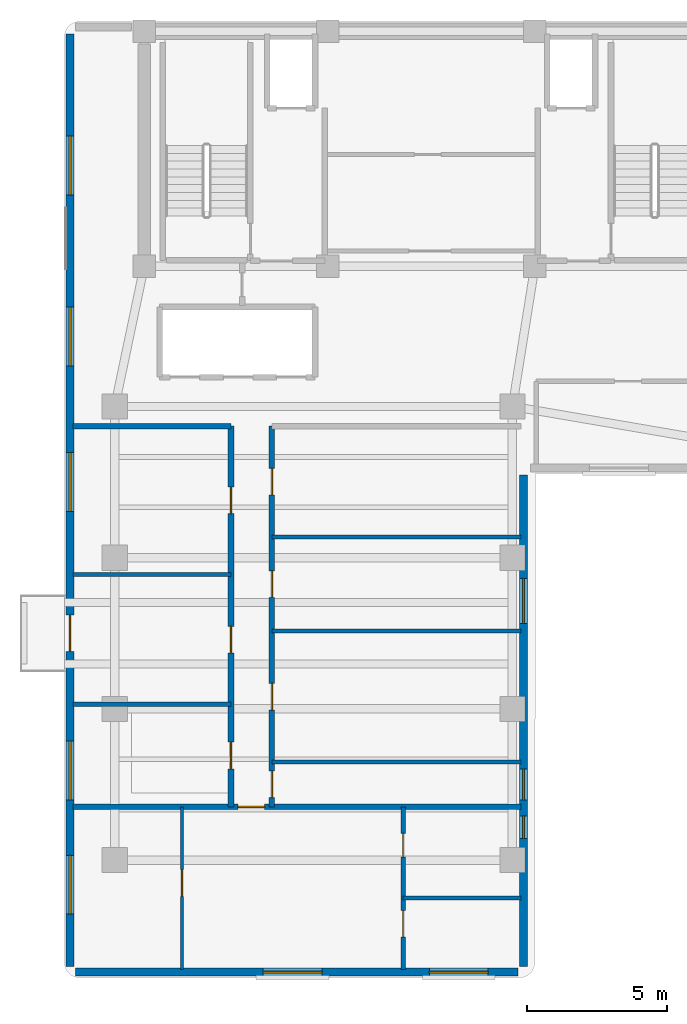
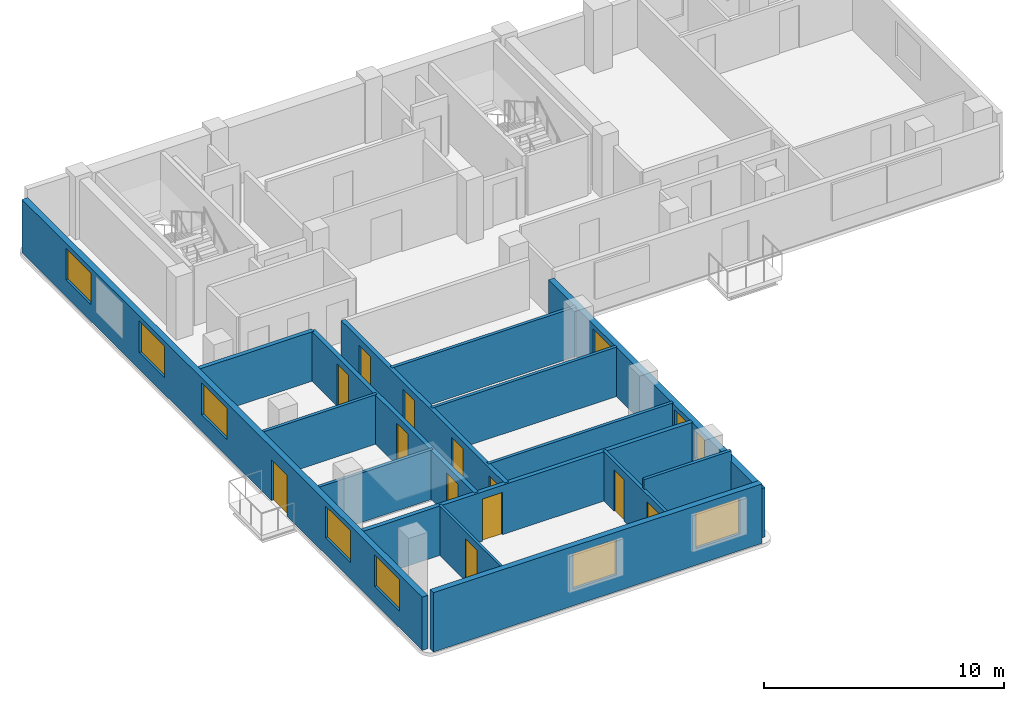
# One storey, part 2 of 6: 15 walls, 12 doors, 10 windows, 22 openings.
"""IFC4 building model written with IfcOpenShell, lengths in metres."""

from ifc_helpers import new_model, si_unit, direction, frame, frame_2d, origin, place, context, subcontext, project, spatial, rectangle, extrude, material, layer, layer_set, type_object, element, fill, save


model = new_model("IFC4")

# Units and contexts
model_context = context("Model", 3, precision=1e-05, world=origin(), true_north=direction((0.0, 1.0)))
body_context = subcontext(model_context, "Body", "Model", "MODEL_VIEW")
ifc_project = project(units=[si_unit("LENGTHUNIT", "METRE"), si_unit("AREAUNIT", "SQUARE_METRE"), si_unit("VOLUMEUNIT", "CUBIC_METRE"), si_unit("PLANEANGLEUNIT", "RADIAN"), si_unit("MASSUNIT", "GRAM", prefix="KILO")], contexts=[model_context])

# Site, building, storey
site_placement = place(None, origin())
site = spatial("IfcSite", under=ifc_project, at=site_placement, CompositionType="ELEMENT")
building_placement = place(site_placement, origin())
building = spatial("IfcBuilding", under=site, at=building_placement, Name="Kuzgunbayir Cultural Tower", CompositionType="ELEMENT")
storey_placement = place(building_placement, frame((0.0, 0.0, 195.199951171875)))
storey = spatial("IfcBuildingStorey", under=building, at=storey_placement, Name="L57", CompositionType="ELEMENT", Elevation=195.199951171875)

# Wall, openings, windows
ifc_material_1 = material(Name="Anatolian Cream Limestone", Category="masonry")
ifc_layer_1 = layer(ifc_material_1, 0.280029296875)
ifc_layer_set_1 = layer_set([ifc_layer_1], Name="Anatolian Cream Limestone")
wall_type_1 = type_object("IfcWallType", Name="WAL-EXT-STONE-280", PredefinedType="STANDARD", material=ifc_layer_set_1)
wall_1_placement = place(storey_placement, frame((4.0, 8.60009765625, 0.0), z_axis=(0.0, 0.0, 1.0), x_axis=(1.0, 0.0, 0.0)))
wall_1 = element("IfcWall", 1, at=wall_1_placement, inside=storey, type_object=wall_type_1, Name="L57 Wing A South Limestone Wall", PredefinedType="STANDARD", context=body_context, shape_type="SweptSolid", body=[
    extrude(rectangle(XDim=15.800048828125, YDim=0.280029296875, at=frame_2d((7.89990234375, 0.0))), origin(), (0.0, 0.0, 1.0), 3.02001953125),
])
opening_1_placement = place(wall_1_placement, frame((6.699951171875, 0.0, 0.85009765625)))
opening_1 = element("IfcOpeningElement", 2, at=opening_1_placement, cuts=wall_1, Name="Opening WR-21", PredefinedType="OPENING", context=body_context, shape_type="SweptSolid", body=[
    extrude(rectangle(XDim=2.10009765625, YDim=1.800048828125, at=frame_2d((1.050048828125, 0.89990234375))), frame((0.0, 0.14990234375, 0.0), z_axis=(0.0, -1.0, 0.0), x_axis=(1.0, 0.0, 0.0)), (0.0, 0.0, 1.0), 0.300048828125),
])
opening_2_placement = place(wall_1_placement, frame((12.6298828125, 0.0, 0.85009765625)))
opening_2 = element("IfcOpeningElement", 3, at=opening_2_placement, cuts=wall_1, Name="Opening WR-21", PredefinedType="OPENING", context=body_context, shape_type="SweptSolid", body=[
    extrude(rectangle(XDim=2.10009765625, YDim=1.800048828125, at=frame_2d((1.050048828125, 0.89990234375))), frame((0.0, 0.14990234375, 0.0), z_axis=(0.0, -1.0, 0.0), x_axis=(1.0, 0.0, 0.0)), (0.0, 0.0, 1.0), 0.300048828125),
])
ifc_material_2 = material(Name="Solar-Control Triple Glazing", Category="glass")
window_type_1 = type_object("IfcWindowType", Name="WIN-RESID-21", PartitioningType="SINGLE_PANEL", PredefinedType="WINDOW", material=ifc_material_2)
window_1_placement = place(opening_1_placement, origin())
window_1 = element("IfcWindow", 4, at=window_1_placement, inside=storey, type_object=window_type_1, Name="L57 WAS Facade Window 2", OverallHeight=1.800048828125, OverallWidth=2.10009765625, PartitioningType="SINGLE_PANEL", PredefinedType="WINDOW", context=body_context, shape_type="SweptSolid", body=[
    extrude(rectangle(XDim=2.10009765625, YDim=1.800048828125, at=frame_2d((1.050048828125, 0.89990234375))), frame((0.0, 0.030029296875, 0.0), z_axis=(0.0, -1.0, 0.0), x_axis=(1.0, 0.0, 0.0)), (0.0, 0.0, 1.0), 0.06005859375),
])
fill(opening_1, window_1)
window_2_placement = place(opening_2_placement, origin())
window_2 = element("IfcWindow", 5, at=window_2_placement, inside=storey, type_object=window_type_1, Name="L57 WAS Facade Window 3", OverallHeight=1.800048828125, OverallWidth=2.10009765625, PartitioningType="SINGLE_PANEL", PredefinedType="WINDOW", context=body_context, shape_type="SweptSolid", body=[
    extrude(rectangle(XDim=2.10009765625, YDim=1.800048828125, at=frame_2d((1.050048828125, 0.89990234375))), frame((0.0, 0.030029296875, 0.0), z_axis=(0.0, -1.0, 0.0), x_axis=(1.0, 0.0, 0.0)), (0.0, 0.0, 1.0), 0.06005859375),
])
fill(opening_2, window_2)

# Wall, openings, door, windows
wall_2_placement = place(storey_placement, frame((3.800048828125, 42.10009765625, 0.0), z_axis=(0.0, 0.0, 1.0), x_axis=(0.0, -1.0, 0.0)))
wall_2 = element("IfcWall", 6, at=wall_2_placement, inside=storey, type_object=wall_type_1, Name="L57 Wing A West Limestone Wall", PredefinedType="STANDARD", context=body_context, shape_type="SweptSolid", body=[
    extrude(rectangle(XDim=33.300048828125, YDim=0.280029296875, at=frame_2d((16.64990234375, 0.0))), origin(), (0.0, 0.0, 1.0), 2.7099609375),
])
opening_3_placement = place(wall_2_placement, frame((20.75, 0.0, 0.0)))
opening_3 = element("IfcOpeningElement", 7, at=opening_3_placement, cuts=wall_2, Name="Opening BD-13", PredefinedType="OPENING", context=body_context, shape_type="SweptSolid", body=[
    extrude(rectangle(XDim=1.300048828125, YDim=2.080078125, at=frame_2d((0.64990234375, 1.0400390625))), frame((0.0, 0.14990234375, 0.0), z_axis=(0.0, -1.0, 0.0), x_axis=(1.0, 0.0, 0.0)), (0.0, 0.0, 1.0), 0.300048828125),
])
opening_4_placement = place(wall_2_placement, frame((29.330078125, 0.0, 0.85009765625)))
opening_4 = element("IfcOpeningElement", 8, at=opening_4_placement, cuts=wall_2, Name="Opening WR-21", PredefinedType="OPENING", context=body_context, shape_type="SweptSolid", body=[
    extrude(rectangle(XDim=2.10009765625, YDim=1.610107421875, at=frame_2d((1.050048828125, 0.80517578125))), frame((0.0, 0.14990234375, 0.0), z_axis=(0.0, -1.0, 0.0), x_axis=(1.0, 0.0, 0.0)), (0.0, 0.0, 1.0), 0.300048828125),
])
opening_5_placement = place(wall_2_placement, frame((25.25, 0.0, 0.85009765625)))
opening_5 = element("IfcOpeningElement", 9, at=opening_5_placement, cuts=wall_2, Name="Opening WR-21", PredefinedType="OPENING", context=body_context, shape_type="SweptSolid", body=[
    extrude(rectangle(XDim=2.10009765625, YDim=1.610107421875, at=frame_2d((1.050048828125, 0.80517578125))), frame((0.0, 0.14990234375, 0.0), z_axis=(0.0, -1.0, 0.0), x_axis=(1.0, 0.0, 0.0)), (0.0, 0.0, 1.0), 0.300048828125),
])
opening_6_placement = place(wall_2_placement, frame((14.949951171875, 0.0, 0.85009765625)))
opening_6 = element("IfcOpeningElement", 10, at=opening_6_placement, cuts=wall_2, Name="Opening WR-21", PredefinedType="OPENING", context=body_context, shape_type="SweptSolid", body=[
    extrude(rectangle(XDim=2.10009765625, YDim=1.610107421875, at=frame_2d((1.050048828125, 0.80517578125))), frame((0.0, 0.14990234375, 0.0), z_axis=(0.0, -1.0, 0.0), x_axis=(1.0, 0.0, 0.0)), (0.0, 0.0, 1.0), 0.300048828125),
])
opening_7_placement = place(wall_2_placement, frame((9.75, 0.0, 0.85009765625)))
opening_7 = element("IfcOpeningElement", 11, at=opening_7_placement, cuts=wall_2, Name="Opening WR-21", PredefinedType="OPENING", context=body_context, shape_type="SweptSolid", body=[
    extrude(rectangle(XDim=2.10009765625, YDim=1.610107421875, at=frame_2d((1.050048828125, 0.80517578125))), frame((0.0, 0.14990234375, 0.0), z_axis=(0.0, -1.0, 0.0), x_axis=(1.0, 0.0, 0.0)), (0.0, 0.0, 1.0), 0.300048828125),
])
opening_8_placement = place(wall_2_placement, frame((3.64990234375, 0.0, 0.85009765625)))
opening_8 = element("IfcOpeningElement", 12, at=opening_8_placement, cuts=wall_2, Name="Opening WR-21", PredefinedType="OPENING", context=body_context, shape_type="SweptSolid", body=[
    extrude(rectangle(XDim=2.10009765625, YDim=1.610107421875, at=frame_2d((1.050048828125, 0.80517578125))), frame((0.0, 0.14990234375, 0.0), z_axis=(0.0, -1.0, 0.0), x_axis=(1.0, 0.0, 0.0)), (0.0, 0.0, 1.0), 0.300048828125),
])
ifc_material_3 = material(Name="Thermally Broken Glazed Aluminium", Category="aluminium")
door_type_1 = type_object("IfcDoorType", Name="DR-BALCONY-135", OperationType="SLIDING_TO_LEFT", PredefinedType="DOOR", material=ifc_material_3)
door_1_placement = place(opening_3_placement, origin())
door_1 = element("IfcDoor", 13, at=door_1_placement, inside=storey, type_object=door_type_1, Name="L57 West Balcony Sliding Door BAL-L57-WA2", OperationType="SLIDING_TO_LEFT", OverallHeight=2.080078125, OverallWidth=1.300048828125, PredefinedType="DOOR", context=body_context, shape_type="SweptSolid", body=[
    extrude(rectangle(XDim=1.300048828125, YDim=2.080078125, at=frame_2d((0.64990234375, 1.0400390625))), frame((0.0, 0.02490234375, 0.0), z_axis=(0.0, -1.0, 0.0), x_axis=(1.0, 0.0, 0.0)), (0.0, 0.0, 1.0), 0.050048828125),
])
fill(opening_3, door_1)
window_3_placement = place(opening_4_placement, origin())
window_3 = element("IfcWindow", 14, at=window_3_placement, inside=storey, type_object=window_type_1, Name="L57 WAW Facade Window 1", OverallHeight=1.610107421875, OverallWidth=2.10009765625, PartitioningType="SINGLE_PANEL", PredefinedType="WINDOW", context=body_context, shape_type="SweptSolid", body=[
    extrude(rectangle(XDim=2.10009765625, YDim=1.610107421875, at=frame_2d((1.050048828125, 0.80517578125))), frame((0.0, 0.030029296875, 0.0), z_axis=(0.0, -1.0, 0.0), x_axis=(1.0, 0.0, 0.0)), (0.0, 0.0, 1.0), 0.06005859375),
])
fill(opening_4, window_3)
window_4_placement = place(opening_5_placement, origin())
window_4 = element("IfcWindow", 15, at=window_4_placement, inside=storey, type_object=window_type_1, Name="L57 WAW Facade Window 10", OverallHeight=1.610107421875, OverallWidth=2.10009765625, PartitioningType="SINGLE_PANEL", PredefinedType="WINDOW", context=body_context, shape_type="SweptSolid", body=[
    extrude(rectangle(XDim=2.10009765625, YDim=1.610107421875, at=frame_2d((1.050048828125, 0.80517578125))), frame((0.0, 0.030029296875, 0.0), z_axis=(0.0, -1.0, 0.0), x_axis=(1.0, 0.0, 0.0)), (0.0, 0.0, 1.0), 0.06005859375),
])
fill(opening_5, window_4)
window_5_placement = place(opening_6_placement, origin())
window_5 = element("IfcWindow", 16, at=window_5_placement, inside=storey, type_object=window_type_1, Name="L57 WAW Facade Window 11", OverallHeight=1.610107421875, OverallWidth=2.10009765625, PartitioningType="SINGLE_PANEL", PredefinedType="WINDOW", context=body_context, shape_type="SweptSolid", body=[
    extrude(rectangle(XDim=2.10009765625, YDim=1.610107421875, at=frame_2d((1.050048828125, 0.80517578125))), frame((0.0, 0.030029296875, 0.0), z_axis=(0.0, -1.0, 0.0), x_axis=(1.0, 0.0, 0.0)), (0.0, 0.0, 1.0), 0.06005859375),
])
fill(opening_6, window_5)
window_6_placement = place(opening_7_placement, origin())
window_6 = element("IfcWindow", 17, at=window_6_placement, inside=storey, type_object=window_type_1, Name="L57 WAW Facade Window 12", OverallHeight=1.610107421875, OverallWidth=2.10009765625, PartitioningType="SINGLE_PANEL", PredefinedType="WINDOW", context=body_context, shape_type="SweptSolid", body=[
    extrude(rectangle(XDim=2.10009765625, YDim=1.610107421875, at=frame_2d((1.050048828125, 0.80517578125))), frame((0.0, 0.030029296875, 0.0), z_axis=(0.0, -1.0, 0.0), x_axis=(1.0, 0.0, 0.0)), (0.0, 0.0, 1.0), 0.06005859375),
])
fill(opening_7, window_6)
window_7_placement = place(opening_8_placement, origin())
window_7 = element("IfcWindow", 18, at=window_7_placement, inside=storey, type_object=window_type_1, Name="L57 WAW Facade Window 13", OverallHeight=1.610107421875, OverallWidth=2.10009765625, PartitioningType="SINGLE_PANEL", PredefinedType="WINDOW", context=body_context, shape_type="SweptSolid", body=[
    extrude(rectangle(XDim=2.10009765625, YDim=1.610107421875, at=frame_2d((1.050048828125, 0.80517578125))), frame((0.0, 0.030029296875, 0.0), z_axis=(0.0, -1.0, 0.0), x_axis=(1.0, 0.0, 0.0)), (0.0, 0.0, 1.0), 0.06005859375),
])
fill(opening_8, window_7)

# Wall, openings, windows
wall_3_placement = place(storey_placement, frame((20.0, 8.800048828125, 0.0), z_axis=(0.0, 0.0, 1.0), x_axis=(0.0, 1.0, 0.0)))
wall_3 = element("IfcWall", 19, at=wall_3_placement, inside=storey, type_object=wall_type_1, Name="L57 Wing A East Limestone Wall", PredefinedType="STANDARD", context=body_context, shape_type="SweptSolid", body=[
    extrude(rectangle(XDim=17.550048828125, YDim=0.280029296875, at=frame_2d((8.77490234375, 0.0))), origin(), (0.0, 0.0, 1.0), 2.510009765625),
])
opening_9_placement = place(wall_3_placement, frame((4.580078125, 0.0, 0.85009765625)))
opening_9 = element("IfcOpeningElement", 20, at=opening_9_placement, cuts=wall_3, Name="Opening WN-08", PredefinedType="OPENING", context=body_context, shape_type="SweptSolid", body=[
    extrude(rectangle(XDim=0.800048828125, YDim=1.409912109375, at=frame_2d((0.39990234375, 0.705078125))), frame((0.0, 0.14990234375, 0.0), z_axis=(0.0, -1.0, 0.0), x_axis=(1.0, 0.0, 0.0)), (0.0, 0.0, 1.0), 0.300048828125),
])
opening_10_placement = place(wall_3_placement, frame((12.25, 0.0, 0.85009765625)))
opening_10 = element("IfcOpeningElement", 21, at=opening_10_placement, cuts=wall_3, Name="Opening WC-16", PredefinedType="OPENING", context=body_context, shape_type="SweptSolid", body=[
    extrude(rectangle(XDim=1.60009765625, YDim=1.409912109375, at=frame_2d((0.800048828125, 0.705078125))), frame((0.0, 0.14990234375, 0.0), z_axis=(0.0, -1.0, 0.0), x_axis=(1.0, 0.0, 0.0)), (0.0, 0.0, 1.0), 0.300048828125),
])
opening_11_placement = place(wall_3_placement, frame((5.949951171875, 0.0, 0.85009765625)))
opening_11 = element("IfcOpeningElement", 22, at=opening_11_placement, cuts=wall_3, Name="Opening WN-11", PredefinedType="OPENING", context=body_context, shape_type="SweptSolid", body=[
    extrude(rectangle(XDim=1.10009765625, YDim=1.409912109375, at=frame_2d((0.550048828125, 0.705078125))), frame((0.0, 0.14990234375, 0.0), z_axis=(0.0, -1.0, 0.0), x_axis=(1.0, 0.0, 0.0)), (0.0, 0.0, 1.0), 0.300048828125),
])
window_type_2 = type_object("IfcWindowType", Name="WIN-COMP-16", PartitioningType="SINGLE_PANEL", PredefinedType="WINDOW", material=ifc_material_2)
window_8_placement = place(opening_10_placement, origin())
window_8 = element("IfcWindow", 23, at=window_8_placement, inside=storey, type_object=window_type_2, Name="L57 WAE Facade Window 5", OverallHeight=1.409912109375, OverallWidth=1.60009765625, PartitioningType="SINGLE_PANEL", PredefinedType="WINDOW", context=body_context, shape_type="SweptSolid", body=[
    extrude(rectangle(XDim=1.60009765625, YDim=1.409912109375, at=frame_2d((0.800048828125, 0.705078125))), frame((0.0, 0.030029296875, 0.0), z_axis=(0.0, -1.0, 0.0), x_axis=(1.0, 0.0, 0.0)), (0.0, 0.0, 1.0), 0.06005859375),
])
fill(opening_10, window_8)
window_type_3 = type_object("IfcWindowType", Name="WIN-NARROW-11", PartitioningType="SINGLE_PANEL", PredefinedType="WINDOW", material=ifc_material_2)
window_9_placement = place(opening_11_placement, origin())
window_9 = element("IfcWindow", 24, at=window_9_placement, inside=storey, type_object=window_type_3, Name="L57 WAE Facade Window 14", OverallHeight=1.409912109375, OverallWidth=1.10009765625, PartitioningType="SINGLE_PANEL", PredefinedType="WINDOW", context=body_context, shape_type="SweptSolid", body=[
    extrude(rectangle(XDim=1.10009765625, YDim=1.409912109375, at=frame_2d((0.550048828125, 0.705078125))), frame((0.0, 0.030029296875, 0.0), z_axis=(0.0, -1.0, 0.0), x_axis=(1.0, 0.0, 0.0)), (0.0, 0.0, 1.0), 0.06005859375),
])
fill(opening_11, window_9)
window_type_4 = type_object("IfcWindowType", Name="WIN-NARROW-80", PartitioningType="SINGLE_PANEL", PredefinedType="WINDOW", material=ifc_material_2)
window_10_placement = place(opening_9_placement, origin())
window_10 = element("IfcWindow", 25, at=window_10_placement, inside=storey, type_object=window_type_4, Name="L57 WAE Facade Window 4", OverallHeight=1.409912109375, OverallWidth=0.800048828125, PartitioningType="SINGLE_PANEL", PredefinedType="WINDOW", context=body_context, shape_type="SweptSolid", body=[
    extrude(rectangle(XDim=0.800048828125, YDim=1.409912109375, at=frame_2d((0.39990234375, 0.705078125))), frame((0.0, 0.030029296875, 0.0), z_axis=(0.0, -1.0, 0.0), x_axis=(1.0, 0.0, 0.0)), (0.0, 0.0, 1.0), 0.06005859375),
])
fill(opening_9, window_10)

# Walls
ifc_material_4 = material(Name="Acoustic Double-Stud Drywall", Category="gypsum")
ifc_layer_2 = layer(ifc_material_4, 0.14990234375)
ifc_layer_set_2 = layer_set([ifc_layer_2], Name="Acoustic Double-Stud Drywall")
wall_type_2 = type_object("IfcWallType", Name="WAL-PART-ACOUSTIC-150", PredefinedType="PARTITIONING", material=ifc_layer_set_2)
for number, where, z_axis, x_axis, name in (
    (26, (3.89990234375, 18.169921875, 0.0), (0.0, 0.0, 1.0), (1.0, 0.0, 0.0), "L57 West Study Partition 1"),
    (27, (3.89990234375, 22.800048828125, 0.0), (0.0, 0.0, 1.0), (1.0, 0.0, 0.0), "L57 West Study Partition 2"),
):
    element("IfcWall", number, at=place(storey_placement, frame(where, z_axis=z_axis, x_axis=x_axis)), inside=storey, type_object=wall_type_2, Name=name, PredefinedType="PARTITIONING", context=body_context, shape_type="SweptSolid", body=[
        extrude(rectangle(XDim=5.650146484375, YDim=0.14990234375, at=frame_2d((2.8251953125, 0.0))), origin(), (0.0, 0.0, 1.0), 2.510009765625),
    ])
for number, where, z_axis, x_axis, name in (
    (28, (11.010009765625, 20.780029296875, 0.0), (0.0, 0.0, 1.0), (1.0, 0.0, 0.0), "L57 East Divider 1"),
    (29, (11.010009765625, 24.139892578125, 0.0), (0.0, 0.0, 1.0), (1.0, 0.0, 0.0), "L57 East Divider 2"),
):
    element("IfcWall", number, at=place(storey_placement, frame(where, z_axis=z_axis, x_axis=x_axis)), inside=storey, type_object=wall_type_2, Name=name, PredefinedType="PARTITIONING", context=body_context, shape_type="SweptSolid", body=[
        extrude(rectangle(XDim=8.889892578125, YDim=0.14990234375, at=frame_2d((4.44482421875, 0.0))), origin(), (0.0, 0.0, 1.0), 2.510009765625),
    ])

# Wall, openings, doors
ifc_material_5 = material(Name="Aerated Concrete Blockwork", Category="masonry")
ifc_layer_3 = layer(ifc_material_5, 0.199951171875)
ifc_layer_set_3 = layer_set([ifc_layer_3], Name="Aerated Concrete Blockwork")
wall_type_3 = type_object("IfcWallType", Name="WAL-PART-FIRE-200", PredefinedType="PARTITIONING", material=ifc_layer_set_3)
wall_4_placement = place(storey_placement, frame((9.550048828125, 14.5, 0.0), z_axis=(0.0, 0.0, 1.0), x_axis=(0.0, 1.0, 0.0)))
wall_4 = element("IfcWall", 30, at=wall_4_placement, inside=storey, type_object=wall_type_3, Name="L57 Wing A West Corridor Wall", PredefinedType="PARTITIONING", context=body_context, shape_type="SweptSolid", body=[
    extrude(rectangle(XDim=13.60009765625, YDim=0.199951171875, at=frame_2d((6.800048828125, 0.0))), origin(), (0.0, 0.0, 1.0), 2.510009765625),
])
opening_12_placement = place(wall_4_placement, frame((1.360107421875, 0.0, 0.0)))
opening_12 = element("IfcOpeningElement", 31, at=opening_12_placement, cuts=wall_4, Name="Opening DI-90", PredefinedType="OPENING", context=body_context, shape_type="SweptSolid", body=[
    extrude(rectangle(XDim=0.949951171875, YDim=2.14990234375, at=frame_2d((0.47509765625, 1.074951171875))), frame((0.0, 0.10986328125, 0.0), z_axis=(0.0, -1.0, 0.0), x_axis=(1.0, 0.0, 0.0)), (0.0, 0.0, 1.0), 0.219970703125),
])
opening_13_placement = place(wall_4_placement, frame((5.5, 0.0, 0.0)))
opening_13 = element("IfcOpeningElement", 32, at=opening_13_placement, cuts=wall_4, Name="Opening DI-90", PredefinedType="OPENING", context=body_context, shape_type="SweptSolid", body=[
    extrude(rectangle(XDim=0.949951171875, YDim=2.14990234375, at=frame_2d((0.47509765625, 1.074951171875))), frame((0.0, 0.10986328125, 0.0), z_axis=(0.0, -1.0, 0.0), x_axis=(1.0, 0.0, 0.0)), (0.0, 0.0, 1.0), 0.219970703125),
])
opening_14_placement = place(wall_4_placement, frame((10.469970703125, 0.0, 0.0)))
opening_14 = element("IfcOpeningElement", 33, at=opening_14_placement, cuts=wall_4, Name="Opening DI-90", PredefinedType="OPENING", context=body_context, shape_type="SweptSolid", body=[
    extrude(rectangle(XDim=0.949951171875, YDim=2.14990234375, at=frame_2d((0.47509765625, 1.074951171875))), frame((0.0, 0.10986328125, 0.0), z_axis=(0.0, -1.0, 0.0), x_axis=(1.0, 0.0, 0.0)), (0.0, 0.0, 1.0), 0.219970703125),
])
ifc_material_6 = material(Name="Veneered Oak Single Leaf", Category="wood")
door_type_2 = type_object("IfcDoorType", Name="DR-INT-90", OperationType="NOTDEFINED", PredefinedType="DOOR", material=ifc_material_6)
door_2_placement = place(opening_12_placement, origin())
door_2 = element("IfcDoor", 34, at=door_2_placement, inside=storey, type_object=door_type_2, Name="L57 Art Publication Salon W1 Door", OperationType="SINGLE_SWING_RIGHT", OverallHeight=2.14990234375, OverallWidth=0.949951171875, PredefinedType="DOOR", context=body_context, shape_type="SweptSolid", body=[
    extrude(rectangle(XDim=0.949951171875, YDim=2.14990234375, at=frame_2d((0.47509765625, 1.074951171875))), frame((0.0, 0.02490234375, 0.0), z_axis=(0.0, -1.0, 0.0), x_axis=(1.0, 0.0, 0.0)), (0.0, 0.0, 1.0), 0.050048828125),
])
fill(opening_12, door_2)
door_3_placement = place(opening_13_placement, origin())
door_3 = element("IfcDoor", 35, at=door_3_placement, inside=storey, type_object=door_type_2, Name="L57 Art Publication Salon W2 Door", OperationType="SINGLE_SWING_LEFT", OverallHeight=2.14990234375, OverallWidth=0.949951171875, PredefinedType="DOOR", context=body_context, shape_type="SweptSolid", body=[
    extrude(rectangle(XDim=0.949951171875, YDim=2.14990234375, at=frame_2d((0.47509765625, 1.074951171875))), frame((0.0, 0.02490234375, 0.0), z_axis=(0.0, -1.0, 0.0), x_axis=(1.0, 0.0, 0.0)), (0.0, 0.0, 1.0), 0.050048828125),
])
fill(opening_13, door_3)
door_4_placement = place(opening_14_placement, origin())
door_4 = element("IfcDoor", 36, at=door_4_placement, inside=storey, type_object=door_type_2, Name="L57 Fellows Reading Lounge W3 Door", OperationType="SINGLE_SWING_RIGHT", OverallHeight=2.14990234375, OverallWidth=0.949951171875, PredefinedType="DOOR", context=body_context, shape_type="SweptSolid", body=[
    extrude(rectangle(XDim=0.949951171875, YDim=2.14990234375, at=frame_2d((0.47509765625, 1.074951171875))), frame((0.0, 0.02490234375, 0.0), z_axis=(0.0, -1.0, 0.0), x_axis=(1.0, 0.0, 0.0)), (0.0, 0.0, 1.0), 0.050048828125),
])
fill(opening_14, door_4)

wall_5_placement = place(storey_placement, frame((11.010009765625, 14.5, 0.0), z_axis=(0.0, 0.0, 1.0), x_axis=(0.0, 1.0, 0.0)))
wall_5 = element("IfcWall", 37, at=wall_5_placement, inside=storey, type_object=wall_type_3, Name="L57 Wing A East Corridor Wall", PredefinedType="PARTITIONING", context=body_context, shape_type="SweptSolid", body=[
    extrude(rectangle(XDim=13.60009765625, YDim=0.199951171875, at=frame_2d((6.800048828125, 0.0))), origin(), (0.0, 0.0, 1.0), 2.510009765625),
])
opening_15_placement = place(wall_5_placement, frame((0.330078125, 0.0, 0.0)))
opening_15 = element("IfcOpeningElement", 38, at=opening_15_placement, cuts=wall_5, Name="Opening DW-95", PredefinedType="OPENING", context=body_context, shape_type="SweptSolid", body=[
    extrude(rectangle(XDim=0.949951171875, YDim=2.10009765625, at=frame_2d((0.47509765625, 1.050048828125))), frame((0.0, 0.10986328125, 0.0), z_axis=(0.0, -1.0, 0.0), x_axis=(1.0, 0.0, 0.0)), (0.0, 0.0, 1.0), 0.219970703125),
])
opening_16_placement = place(wall_5_placement, frame((3.4599609375, 0.0, 0.0)))
opening_16 = element("IfcOpeningElement", 39, at=opening_16_placement, cuts=wall_5, Name="Opening DI-90", PredefinedType="OPENING", context=body_context, shape_type="SweptSolid", body=[
    extrude(rectangle(XDim=0.949951171875, YDim=2.14990234375, at=frame_2d((0.47509765625, 1.074951171875))), frame((0.0, 0.10986328125, 0.0), z_axis=(0.0, -1.0, 0.0), x_axis=(1.0, 0.0, 0.0)), (0.0, 0.0, 1.0), 0.219970703125),
])
opening_17_placement = place(wall_5_placement, frame((7.47998046875, 0.0, 0.0)))
opening_17 = element("IfcOpeningElement", 40, at=opening_17_placement, cuts=wall_5, Name="Opening DI-90", PredefinedType="OPENING", context=body_context, shape_type="SweptSolid", body=[
    extrude(rectangle(XDim=0.949951171875, YDim=2.14990234375, at=frame_2d((0.47509765625, 1.074951171875))), frame((0.0, 0.10986328125, 0.0), z_axis=(0.0, -1.0, 0.0), x_axis=(1.0, 0.0, 0.0)), (0.0, 0.0, 1.0), 0.219970703125),
])
opening_18_placement = place(wall_5_placement, frame((11.139892578125, 0.0, 0.0)))
opening_18 = element("IfcOpeningElement", 41, at=opening_18_placement, cuts=wall_5, Name="Opening DI-90", PredefinedType="OPENING", context=body_context, shape_type="SweptSolid", body=[
    extrude(rectangle(XDim=0.949951171875, YDim=2.14990234375, at=frame_2d((0.47509765625, 1.074951171875))), frame((0.0, 0.10986328125, 0.0), z_axis=(0.0, -1.0, 0.0), x_axis=(1.0, 0.0, 0.0)), (0.0, 0.0, 1.0), 0.219970703125),
])
door_5_placement = place(opening_16_placement, origin())
door_5 = element("IfcDoor", 42, at=door_5_placement, inside=storey, type_object=door_type_2, Name="L57 East Art Publication Salon E1 Door", OperationType="SINGLE_SWING_RIGHT", OverallHeight=2.14990234375, OverallWidth=0.949951171875, PredefinedType="DOOR", context=body_context, shape_type="SweptSolid", body=[
    extrude(rectangle(XDim=0.949951171875, YDim=2.14990234375, at=frame_2d((0.47509765625, 1.074951171875))), frame((0.0, 0.02490234375, 0.0), z_axis=(0.0, -1.0, 0.0), x_axis=(1.0, 0.0, 0.0)), (0.0, 0.0, 1.0), 0.050048828125),
])
fill(opening_16, door_5)
door_6_placement = place(opening_17_placement, origin())
door_6 = element("IfcDoor", 43, at=door_6_placement, inside=storey, type_object=door_type_2, Name="L57 East Wellness Consultation Studio E2 Door", OperationType="SINGLE_SWING_LEFT", OverallHeight=2.14990234375, OverallWidth=0.949951171875, PredefinedType="DOOR", context=body_context, shape_type="SweptSolid", body=[
    extrude(rectangle(XDim=0.949951171875, YDim=2.14990234375, at=frame_2d((0.47509765625, 1.074951171875))), frame((0.0, 0.02490234375, 0.0), z_axis=(0.0, -1.0, 0.0), x_axis=(1.0, 0.0, 0.0)), (0.0, 0.0, 1.0), 0.050048828125),
])
fill(opening_17, door_6)
door_7_placement = place(opening_18_placement, origin())
door_7 = element("IfcDoor", 44, at=door_7_placement, inside=storey, type_object=door_type_2, Name="L57 East Art Publication Salon E3 Door", OperationType="SINGLE_SWING_RIGHT", OverallHeight=2.14990234375, OverallWidth=0.949951171875, PredefinedType="DOOR", context=body_context, shape_type="SweptSolid", body=[
    extrude(rectangle(XDim=0.949951171875, YDim=2.14990234375, at=frame_2d((0.47509765625, 1.074951171875))), frame((0.0, 0.02490234375, 0.0), z_axis=(0.0, -1.0, 0.0), x_axis=(1.0, 0.0, 0.0)), (0.0, 0.0, 1.0), 0.050048828125),
])
fill(opening_18, door_7)
ifc_material_7 = material(Name="Laminate Moisture-Resistant Leaf", Category="wood")
door_type_3 = type_object("IfcDoorType", Name="DR-WET-95", OperationType="NOTDEFINED", PredefinedType="DOOR", material=ifc_material_7)
door_8_placement = place(opening_15_placement, origin())
door_8 = element("IfcDoor", 45, at=door_8_placement, inside=storey, type_object=door_type_3, Name="L57 Visitor Accessible WC Door", OperationType="SINGLE_SWING_LEFT", OverallHeight=2.10009765625, OverallWidth=0.949951171875, PredefinedType="DOOR", context=body_context, shape_type="SweptSolid", body=[
    extrude(rectangle(XDim=0.949951171875, YDim=2.10009765625, at=frame_2d((0.47509765625, 1.050048828125))), frame((0.0, 0.02490234375, 0.0), z_axis=(0.0, -1.0, 0.0), x_axis=(1.0, 0.0, 0.0)), (0.0, 0.0, 1.0), 0.050048828125),
])
fill(opening_15, door_8)

# Wall, opening, door
wall_6_placement = place(storey_placement, frame((3.89990234375, 14.5, 0.0), z_axis=(0.0, 0.0, 1.0), x_axis=(1.0, 0.0, 0.0)))
wall_6 = element("IfcWall", 46, at=wall_6_placement, inside=storey, type_object=wall_type_3, Name="L57 South Cross Partition", PredefinedType="PARTITIONING", context=body_context, shape_type="SweptSolid", body=[
    extrude(rectangle(XDim=16.0, YDim=0.199951171875, at=frame_2d((8.0, 0.0))), origin(), (0.0, 0.0, 1.0), 2.510009765625),
])
opening_19_placement = place(wall_6_placement, frame((5.89990234375, 0.0, 0.0)))
opening_19 = element("IfcOpeningElement", 47, at=opening_19_placement, cuts=wall_6, Name="Opening DR-APT-60", PredefinedType="OPENING", context=body_context, shape_type="SweptSolid", body=[
    extrude(rectangle(XDim=0.949951171875, YDim=2.14990234375, at=frame_2d((0.47509765625, 1.074951171875))), frame((0.0, 0.10986328125, 0.0), z_axis=(0.0, -1.0, 0.0), x_axis=(1.0, 0.0, 0.0)), (0.0, 0.0, 1.0), 0.219970703125),
])
ifc_material_8 = material(Name="Acoustic Fire Timber Leaf", Category="wood")
door_type_4 = type_object("IfcDoorType", Name="DR-APT-60", OperationType="NOTDEFINED", PredefinedType="DOOR", material=ifc_material_8)
door_9_placement = place(opening_19_placement, origin())
door_9 = element("IfcDoor", 48, at=door_9_placement, inside=storey, type_object=door_type_4, Name="L57 Apartment A Entrance", OperationType="SINGLE_SWING_RIGHT", OverallHeight=2.14990234375, OverallWidth=0.949951171875, PredefinedType="DOOR", context=body_context, shape_type="SweptSolid", body=[
    extrude(rectangle(XDim=0.949951171875, YDim=2.14990234375, at=frame_2d((0.47509765625, 1.074951171875))), frame((0.0, 0.02490234375, 0.0), z_axis=(0.0, -1.0, 0.0), x_axis=(1.0, 0.0, 0.0)), (0.0, 0.0, 1.0), 0.050048828125),
])
fill(opening_19, door_9)

# Wall
wall_7_placement = place(storey_placement, frame((3.89990234375, 28.10009765625, 0.0), z_axis=(0.0, 0.0, 1.0), x_axis=(1.0, 0.0, 0.0)))
element("IfcWall", 49, at=wall_7_placement, inside=storey, type_object=wall_type_3, Name="L57 North West Partition", PredefinedType="PARTITIONING", context=body_context, shape_type="SweptSolid", body=[
    extrude(rectangle(XDim=5.650146484375, YDim=0.199951171875, at=frame_2d((2.8251953125, 0.0))), origin(), (0.0, 0.0, 1.0), 2.510009765625),
])

# Wall, opening, door
ifc_material_9 = material(Name="Framed Gypsum Partition", Category="gypsum")
ifc_layer_4 = layer(ifc_material_9, 0.1201171875)
ifc_layer_set_4 = layer_set([ifc_layer_4], Name="Framed Gypsum Partition")
wall_type_4 = type_object("IfcWallType", Name="WAL-PART-INT-120", PredefinedType="PARTITIONING", material=ifc_layer_set_4)
wall_8_placement = place(storey_placement, frame((7.800048828125, 8.699951171875, 0.0), z_axis=(0.0, 0.0, 1.0), x_axis=(0.0, 1.0, 0.0)))
wall_8 = element("IfcWall", 50, at=wall_8_placement, inside=storey, type_object=wall_type_4, Name="L57 Flat A West Bedroom Wall", PredefinedType="PARTITIONING", context=body_context, shape_type="SweptSolid", body=[
    extrude(rectangle(XDim=5.800048828125, YDim=0.1201171875, at=frame_2d((2.89990234375, 0.0))), origin(), (0.0, 0.0, 1.0), 2.510009765625),
])
opening_20_placement = place(wall_8_placement, frame((2.610107421875, 0.0, 0.0)))
opening_20 = element("IfcOpeningElement", 51, at=opening_20_placement, cuts=wall_8, Name="Opening DI-90", PredefinedType="OPENING", context=body_context, shape_type="SweptSolid", body=[
    extrude(rectangle(XDim=0.949951171875, YDim=2.14990234375, at=frame_2d((0.47509765625, 1.074951171875))), frame((0.0, 0.070068359375, 0.0), z_axis=(0.0, -1.0, 0.0), x_axis=(1.0, 0.0, 0.0)), (0.0, 0.0, 1.0), 0.14013671875),
])
door_10_placement = place(opening_20_placement, origin())
door_10 = element("IfcDoor", 52, at=door_10_placement, inside=storey, type_object=door_type_2, Name="L57 Apartment A Bedroom Door", OperationType="SINGLE_SWING_LEFT", OverallHeight=2.14990234375, OverallWidth=0.949951171875, PredefinedType="DOOR", context=body_context, shape_type="SweptSolid", body=[
    extrude(rectangle(XDim=0.949951171875, YDim=2.14990234375, at=frame_2d((0.47509765625, 1.074951171875))), frame((0.0, 0.02490234375, 0.0), z_axis=(0.0, -1.0, 0.0), x_axis=(1.0, 0.0, 0.0)), (0.0, 0.0, 1.0), 0.050048828125),
])
fill(opening_20, door_10)

# Wall, openings, doors
ifc_material_10 = material(Name="Moisture-Resistant Tile Partition", Category="gypsum")
ifc_layer_5 = layer(ifc_material_10, 0.14990234375)
ifc_layer_set_5 = layer_set([ifc_layer_5], Name="Moisture-Resistant Tile Partition")
wall_type_5 = type_object("IfcWallType", Name="WAL-PART-WET-150", PredefinedType="PARTITIONING", material=ifc_layer_set_5)
wall_9_placement = place(storey_placement, frame((15.699951171875, 8.699951171875, 0.0), z_axis=(0.0, 0.0, 1.0), x_axis=(0.0, 1.0, 0.0)))
wall_9 = element("IfcWall", 53, at=wall_9_placement, inside=storey, type_object=wall_type_5, Name="L57 Flat A East Service Wall", PredefinedType="PARTITIONING", context=body_context, shape_type="SweptSolid", body=[
    extrude(rectangle(XDim=5.800048828125, YDim=0.14990234375, at=frame_2d((2.89990234375, 0.0))), origin(), (0.0, 0.0, 1.0), 2.510009765625),
])
opening_21_placement = place(wall_9_placement, frame((1.14990234375, 0.0, 0.0)))
opening_21 = element("IfcOpeningElement", 54, at=opening_21_placement, cuts=wall_9, Name="Opening DI-90", PredefinedType="OPENING", context=body_context, shape_type="SweptSolid", body=[
    extrude(rectangle(XDim=0.949951171875, YDim=2.14990234375, at=frame_2d((0.47509765625, 1.074951171875))), frame((0.0, 0.0849609375, 0.0), z_axis=(0.0, -1.0, 0.0), x_axis=(1.0, 0.0, 0.0)), (0.0, 0.0, 1.0), 0.169921875),
])
opening_22_placement = place(wall_9_placement, frame((4.010009765625, 0.0, 0.0)))
opening_22 = element("IfcOpeningElement", 55, at=opening_22_placement, cuts=wall_9, Name="Opening DW-85", PredefinedType="OPENING", context=body_context, shape_type="SweptSolid", body=[
    extrude(rectangle(XDim=0.85009765625, YDim=2.10009765625, at=frame_2d((0.425048828125, 1.050048828125))), frame((0.0, 0.0849609375, 0.0), z_axis=(0.0, -1.0, 0.0), x_axis=(1.0, 0.0, 0.0)), (0.0, 0.0, 1.0), 0.169921875),
])
door_11_placement = place(opening_21_placement, origin())
door_11 = element("IfcDoor", 56, at=door_11_placement, inside=storey, type_object=door_type_2, Name="L57 Apartment A Kitchen Door", OperationType="SINGLE_SWING_RIGHT", OverallHeight=2.14990234375, OverallWidth=0.949951171875, PredefinedType="DOOR", context=body_context, shape_type="SweptSolid", body=[
    extrude(rectangle(XDim=0.949951171875, YDim=2.14990234375, at=frame_2d((0.47509765625, 1.074951171875))), frame((0.0, 0.02490234375, 0.0), z_axis=(0.0, -1.0, 0.0), x_axis=(1.0, 0.0, 0.0)), (0.0, 0.0, 1.0), 0.050048828125),
])
fill(opening_21, door_11)
door_type_5 = type_object("IfcDoorType", Name="DR-WET-85", OperationType="NOTDEFINED", PredefinedType="DOOR", material=ifc_material_7)
door_12_placement = place(opening_22_placement, origin())
door_12 = element("IfcDoor", 57, at=door_12_placement, inside=storey, type_object=door_type_5, Name="L57 Apartment A Bathroom Door", OperationType="SINGLE_SWING_LEFT", OverallHeight=2.10009765625, OverallWidth=0.85009765625, PredefinedType="DOOR", context=body_context, shape_type="SweptSolid", body=[
    extrude(rectangle(XDim=0.85009765625, YDim=2.10009765625, at=frame_2d((0.425048828125, 1.050048828125))), frame((0.0, 0.02490234375, 0.0), z_axis=(0.0, -1.0, 0.0), x_axis=(1.0, 0.0, 0.0)), (0.0, 0.0, 1.0), 0.050048828125),
])
fill(opening_22, door_12)

# Walls
wall_10_placement = place(storey_placement, frame((15.699951171875, 11.25, 0.0), z_axis=(0.0, 0.0, 1.0), x_axis=(1.0, 0.0, 0.0)))
element("IfcWall", 58, at=wall_10_placement, inside=storey, type_object=wall_type_5, Name="L57 Flat A Bath Kitchen Divider", PredefinedType="PARTITIONING", context=body_context, shape_type="SweptSolid", body=[
    extrude(rectangle(XDim=4.199951171875, YDim=0.14990234375, at=frame_2d((2.10009765625, 0.0))), origin(), (0.0, 0.0, 1.0), 3.02001953125),
])
wall_11_placement = place(storey_placement, frame((11.010009765625, 16.10009765625, 0.0), z_axis=(0.0, 0.0, 1.0), x_axis=(1.0, 0.0, 0.0)))
element("IfcWall", 59, at=wall_11_placement, inside=storey, type_object=wall_type_5, Name="L57 East Accessible WC Wall", PredefinedType="PARTITIONING", context=body_context, shape_type="SweptSolid", body=[
    extrude(rectangle(XDim=8.889892578125, YDim=0.14990234375, at=frame_2d((4.44482421875, 0.0))), origin(), (0.0, 0.0, 1.0), 2.510009765625),
])

save(model, "model.ifc")
